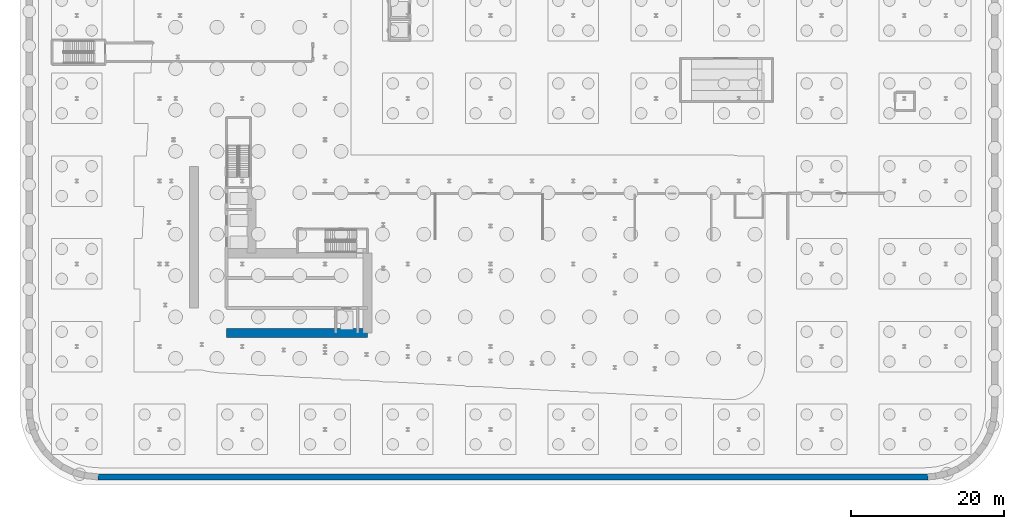
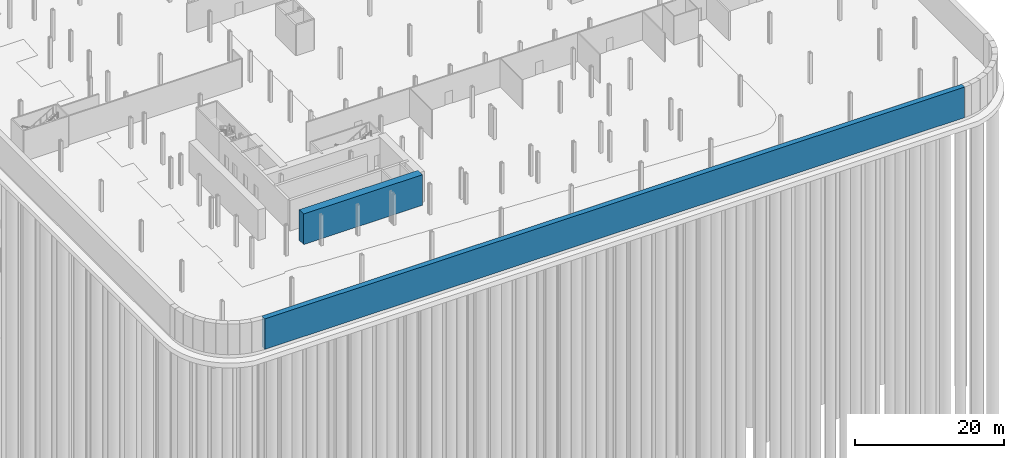
# One storey, part 10 of 23: 2 walls.
"""IFC4 building model written with IfcOpenShell, lengths in metres."""

from ifc_helpers import new_model, si_unit, direction, frame, frame_2d, origin, place, context, subcontext, project, spatial, rectangle, extrude, material, layer, layer_set, type_object, element, save


model = new_model("IFC4")

# Units and contexts
model_context = context("Model", 3, precision=1e-05, world=origin(), true_north=direction((0.0, 1.0)))
body_context = subcontext(model_context, "Body", "Model", "MODEL_VIEW")
ifc_project = project(units=[si_unit("LENGTHUNIT", "METRE"), si_unit("AREAUNIT", "SQUARE_METRE"), si_unit("VOLUMEUNIT", "CUBIC_METRE"), si_unit("PLANEANGLEUNIT", "RADIAN"), si_unit("MASSUNIT", "GRAM", prefix="KILO")], contexts=[model_context])

# Site, building, storey
site_placement = place(None, origin())
site = spatial("IfcSite", under=ifc_project, at=site_placement, CompositionType="ELEMENT")
building_placement = place(site_placement, origin())
building = spatial("IfcBuilding", under=site, at=building_placement, Name="Kheshtan School and Residences Tower", CompositionType="ELEMENT")
storey_placement = place(building_placement, frame((0.0, 0.0, -15.0)))
storey = spatial("IfcBuildingStorey", under=building, at=storey_placement, Name="B3", CompositionType="ELEMENT", Elevation=-15.0)

# Walls
ifc_material_1 = material(Name="Concrete C35/45", Category="concrete")
ifc_layer_1 = layer(ifc_material_1, 0.800048828125)
ifc_layer_set_1 = layer_set([ifc_layer_1], Name="Basement wall 800 Concrete C35/45")
wall_type_1 = type_object("IfcWallType", Name="Basement wall 800 Concrete C35/45", PredefinedType="SOLIDWALL", material=ifc_layer_set_1)
wall_1_placement = place(storey_placement, frame((126.260986328125, 7.010986328125, 0.0), z_axis=(0.0, 0.0, 1.0), x_axis=(-0.999999994851, -0.000101480029, 0.0)))
element("IfcWall", 1, at=wall_1_placement, inside=storey, type_object=wall_type_1, Name="Secant pile wall 30", PredefinedType="SOLIDWALL", context=body_context, shape_type="SweptSolid", body=[
    extrude(rectangle(XDim=108.260986328125, YDim=0.800048828125, at=frame_2d((54.13037109375, 0.0))), origin(), (0.0, 0.0, 1.0), 5.0),
])
ifc_material_2 = material(Name="Concrete C80/95", Category="concrete")
ifc_layer_2 = layer(ifc_material_2, 1.199951171875)
ifc_layer_set_2 = layer_set([ifc_layer_2], Name="Core wall 1200 Concrete C80/95")
wall_type_2 = type_object("IfcWallType", Name="Core wall 1200 Concrete C80/95", PredefinedType="SHEAR", material=ifc_layer_set_2)
wall_2_placement = place(storey_placement, frame((34.75, 25.800048828125, 0.0), z_axis=(0.0, 0.0, 1.0), x_axis=(1.0, 0.0, 0.0)))
element("IfcWall", 2, at=wall_2_placement, inside=storey, type_object=wall_type_2, Name="Core wall CW-REAR-S", PredefinedType="SHEAR", context=body_context, shape_type="SweptSolid", body=[
    extrude(rectangle(XDim=18.39990234375, YDim=1.199951171875, at=frame_2d((9.199951171875, 0.0))), origin(), (0.0, 0.0, 1.0), 5.0),
])

save(model, "model.ifc")
